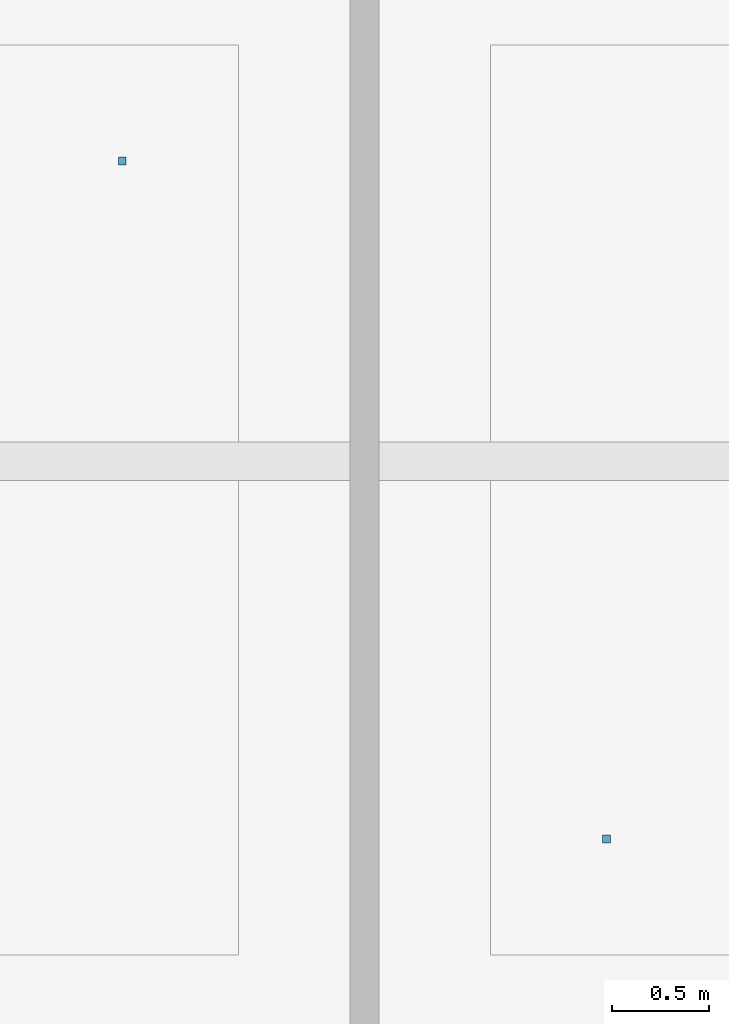
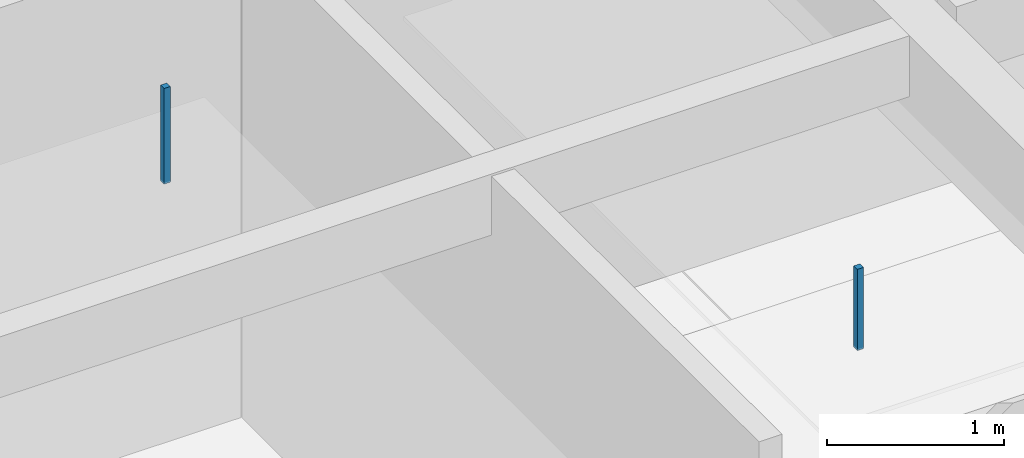
# One storey, part 68 of 99: 2 discrete accessories.
"""IFC4 building model written with IfcOpenShell, lengths in metres."""

from ifc_helpers import new_model, si_unit, direction, frame, origin, origin_2d, place, context, subcontext, project, spatial, rectangle, extrude, material, type_object, element, save


model = new_model("IFC4")

# Units and contexts
model_context = context("Model", 3, precision=1e-05, world=origin(), true_north=direction((0.0, 1.0)))
body_context = subcontext(model_context, "Body", "Model", "MODEL_VIEW")
ifc_project = project(units=[si_unit("LENGTHUNIT", "METRE"), si_unit("AREAUNIT", "SQUARE_METRE"), si_unit("VOLUMEUNIT", "CUBIC_METRE"), si_unit("PLANEANGLEUNIT", "RADIAN"), si_unit("MASSUNIT", "GRAM", prefix="KILO")], contexts=[model_context])

# Site, building, storey
site_placement = place(None, origin())
site = spatial("IfcSite", under=ifc_project, at=site_placement, CompositionType="ELEMENT")
building_placement = place(site_placement, origin())
building = spatial("IfcBuilding", under=site, at=building_placement, Name="Alvorim Cloister Faculty of Sciences", CompositionType="ELEMENT")
storey_placement = place(building_placement, frame((0.0, 0.0, 12.14990234375)))
storey = spatial("IfcBuildingStorey", under=building, at=storey_placement, Name="L03", CompositionType="ELEMENT", Elevation=12.14990234375)

# Discrete accessories
ifc_material = material(Name="Galvanised Painted Steel", Category="steel")
discrete_accessory_type = type_object("IfcDiscreteAccessoryType", Name="ACC-CEIL-ROD", PredefinedType="BRACKET", material=ifc_material)
discrete_accessory_1_placement = place(storey_placement, frame((24.75, 5.14990234375, 2.75), z_axis=(0.0, 0.0, 1.0), x_axis=(1.0, 0.0, 0.0)))
element("IfcDiscreteAccessory", 1, at=discrete_accessory_1_placement, inside=storey, type_object=discrete_accessory_type, Name="Ceiling Suspension Bracket ACC-ROD-024", PredefinedType="BRACKET", context=body_context, shape_type="SweptSolid", body=[
    extrude(rectangle(XDim=0.0400390625, YDim=0.0400390625, at=origin_2d()), origin(), (0.0, 0.0, 1.0), 0.66015625),
])
discrete_accessory_2_placement = place(storey_placement, frame((27.25, 1.64990234375, 2.85009765625), z_axis=(0.0, 0.0, 1.0), x_axis=(1.0, 0.0, 0.0)))
element("IfcDiscreteAccessory", 2, at=discrete_accessory_2_placement, inside=storey, type_object=discrete_accessory_type, Name="Ceiling Suspension Bracket ACC-ROD-025", PredefinedType="BRACKET", context=body_context, shape_type="SweptSolid", body=[
    extrude(rectangle(XDim=0.0400390625, YDim=0.0400390625, at=origin_2d()), origin(), (0.0, 0.0, 1.0), 0.56005859375),
])

save(model, "model.ifc")
